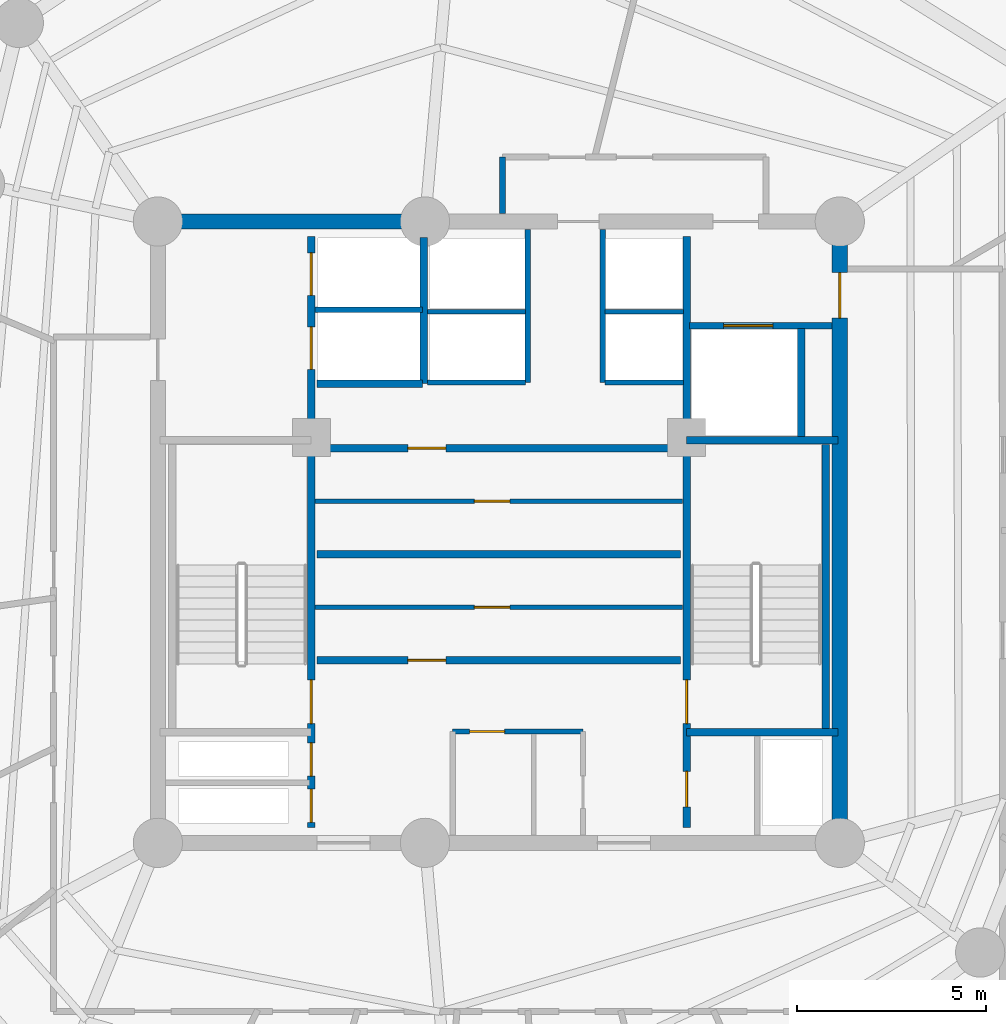
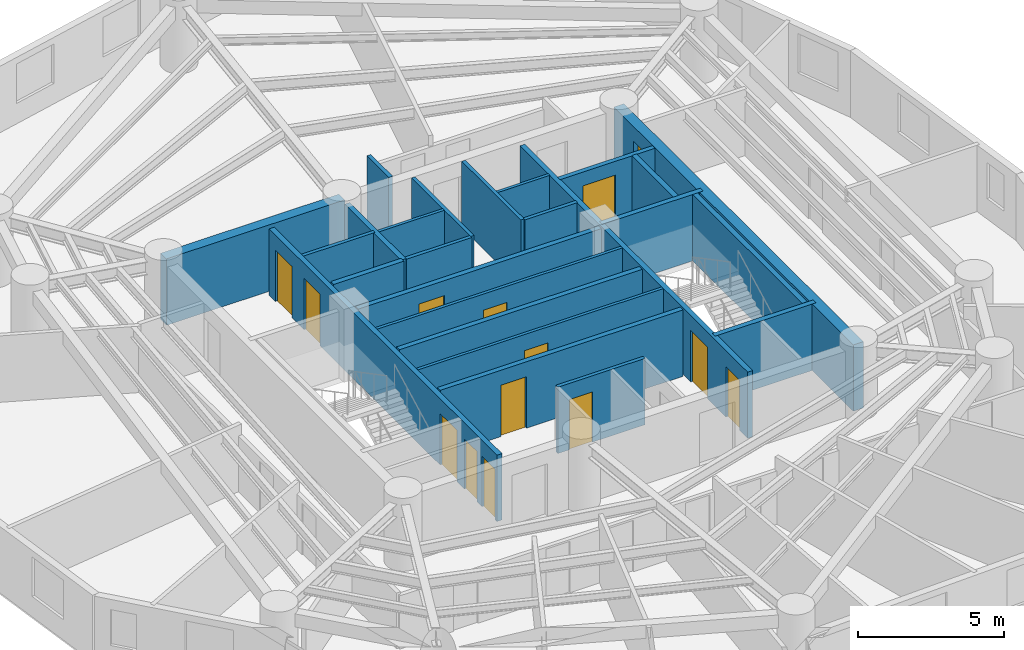
# One storey, part 4 of 7: 25 walls, 14 doors, 14 openings.
"""IFC4 building model written with IfcOpenShell, lengths in metres."""

from ifc_helpers import new_model, si_unit, direction, frame, frame_2d, origin, origin_with_axes, place, context, subcontext, project, spatial, rectangle, extrude, source, transform, mapped, material, layer, layer_set, type_object, element, fill, save


model = new_model("IFC4")

# Units and contexts
model_context = context("Model", 3, precision=1e-05, world=origin(), true_north=direction((0.0, 1.0)))
body_context = subcontext(model_context, "Body", "Model", "MODEL_VIEW")
ifc_project = project(units=[si_unit("LENGTHUNIT", "METRE"), si_unit("AREAUNIT", "SQUARE_METRE"), si_unit("VOLUMEUNIT", "CUBIC_METRE"), si_unit("PLANEANGLEUNIT", "RADIAN"), si_unit("MASSUNIT", "GRAM", prefix="KILO")], contexts=[model_context])

# Site, building, storey
site_placement = place(None, origin())
site = spatial("IfcSite", under=ifc_project, at=site_placement, CompositionType="ELEMENT")
building_placement = place(site_placement, origin())
building = spatial("IfcBuilding", under=site, at=building_placement, Name="Karkom Vertical University and Central Library", CompositionType="ELEMENT")
storey_placement = place(building_placement, frame((0.0, 0.0, 205.35009765625)))
storey = spatial("IfcBuildingStorey", under=building, at=storey_placement, Name="L60", CompositionType="ELEMENT", Elevation=205.35009765625)

# Wall
ifc_material_1 = material(Name="Insulated metal-stud drywall 160mm", Category="gypsum")
ifc_layer_1 = layer(ifc_material_1, 0.159912109375)
ifc_layer_set_1 = layer_set([ifc_layer_1], Name="Insulated metal-stud drywall 160mm")
wall_type_1 = type_object("IfcWallType", Name="INT-WL-COR-160", PredefinedType="PARTITIONING", material=ifc_layer_set_1)
wall_1_placement = place(storey_placement, frame((28.60009765625, 34.906982421875, 0.0), z_axis=(0.0, 0.0, 1.0), x_axis=(0.0, 1.0, 0.0)))
element("IfcWall", 1, at=wall_1_placement, inside=storey, type_object=wall_type_1, Name="Level 60 Interior Partition Wall L60-CORW-CW-006", PredefinedType="PARTITIONING", context=body_context, shape_type="SweptSolid", body=[
    extrude(rectangle(XDim=1.492919921875, YDim=0.159912109375, at=frame_2d((0.74658203125, 0.0))), origin(), (0.0, 0.0, 1.0), 2.77490234375),
])

# Wall, opening, door
ifc_material_2 = material(Name="Moisture-resistant drywall 120mm", Category="gypsum")
ifc_layer_2 = layer(ifc_material_2, 0.1201171875)
ifc_layer_set_2 = layer_set([ifc_layer_2], Name="Moisture-resistant drywall 120mm")
wall_type_2 = type_object("IfcWallType", Name="INT-WL-INT-120F", PredefinedType="PARTITIONING", material=ifc_layer_set_2)
wall_2_placement = place(storey_placement, frame((23.652099609375, 24.52001953125, 0.0), z_axis=(0.0, 0.0, 1.0), x_axis=(1.0, 0.0, 0.0)))
wall_2 = element("IfcWall", 2, at=wall_2_placement, inside=storey, type_object=wall_type_2, Name="Level 60 Interior Partition Wall L60-CW-B1-K3H", PredefinedType="PARTITIONING", context=body_context, shape_type="SweptSolid", body=[
    extrude(rectangle(XDim=9.697509765625, YDim=0.1201171875, at=frame_2d((4.8486328125, 0.0))), origin(), (0.0, 0.0, 1.0), 2.77490234375),
])
opening_1_placement = place(wall_2_placement, frame((4.199951171875, 0.0, 0.0)))
opening_1 = element("IfcOpeningElement", 3, at=opening_1_placement, cuts=wall_2, Name="Opening D-WC1", PredefinedType="OPENING", context=body_context, shape_type="SweptSolid", body=[
    extrude(rectangle(XDim=0.93994140625, YDim=2.10009765625, at=frame_2d((0.469970703125, 1.050048828125))), frame((0.0, 0.070068359375, 0.0), z_axis=(0.0, -1.0, 0.0), x_axis=(1.0, 0.0, 0.0)), (0.0, 0.0, 1.0), 0.14013671875),
])
ifc_material_3 = material(Name="Fire-rated laminate moisture-resistant door", Category="wood")
door_type_1 = type_object("IfcDoorType", Name="INT-DR-WC1", OperationType="NOTDEFINED", PredefinedType="DOOR", material=ifc_material_3)
shared_shape_1 = source(origin_with_axes(), body_context, "Body", "SweptSolid", [
    extrude(rectangle(XDim=0.93994140625, YDim=2.10009765625, at=frame_2d((0.469970703125, 1.050048828125))), frame((0.0, 0.02490234375, 0.0), z_axis=(0.0, -1.0, 0.0), x_axis=(1.0, 0.0, 0.0)), (0.0, 0.0, 1.0), 0.050048828125),
])
door_1_placement = place(opening_1_placement, origin())
door_1 = element("IfcDoor", 4, at=door_1_placement, inside=storey, type_object=door_type_1, Name="Level 60 B1 Core WC Strip Door", OperationType="SINGLE_SWING_LEFT", OverallHeight=2.10009765625, OverallWidth=0.93994140625, PredefinedType="DOOR", context=body_context, shape_type="MappedRepresentation", body=[
    mapped(shared_shape_1, transform((0.0, 0.0, 0.0), scale=1.0)),
])
fill(opening_1, door_1)

wall_3_placement = place(storey_placement, frame((23.652099609375, 27.320068359375, 0.0), z_axis=(0.0, 0.0, 1.0), x_axis=(1.0, 0.0, 0.0)))
wall_3 = element("IfcWall", 5, at=wall_3_placement, inside=storey, type_object=wall_type_2, Name="Level 60 Interior Partition Wall L60-CW-B2-K3H", PredefinedType="PARTITIONING", context=body_context, shape_type="SweptSolid", body=[
    extrude(rectangle(XDim=9.697509765625, YDim=0.1201171875, at=frame_2d((4.8486328125, 0.0))), origin(), (0.0, 0.0, 1.0), 2.77490234375),
])
opening_2_placement = place(wall_3_placement, frame((4.199951171875, 0.0, 0.0)))
opening_2 = element("IfcOpeningElement", 6, at=opening_2_placement, cuts=wall_3, Name="Opening D-WC1", PredefinedType="OPENING", context=body_context, shape_type="SweptSolid", body=[
    extrude(rectangle(XDim=0.93994140625, YDim=2.10009765625, at=frame_2d((0.469970703125, 1.050048828125))), frame((0.0, 0.070068359375, 0.0), z_axis=(0.0, -1.0, 0.0), x_axis=(1.0, 0.0, 0.0)), (0.0, 0.0, 1.0), 0.14013671875),
])
door_2_placement = place(opening_2_placement, origin())
door_2 = element("IfcDoor", 7, at=door_2_placement, inside=storey, type_object=door_type_1, Name="Level 60 B2 Core WC Strip Door", OperationType="SINGLE_SWING_LEFT", OverallHeight=2.10009765625, OverallWidth=0.93994140625, PredefinedType="DOOR", context=body_context, shape_type="MappedRepresentation", body=[
    mapped(shared_shape_1, transform((0.0, 0.0, 0.0), scale=1.0)),
])
fill(opening_2, door_2)

# Walls
ifc_layer_3 = layer(ifc_material_2, 0.1201171875)
ifc_layer_set_3 = layer_set([ifc_layer_3], Name="Moisture-resistant drywall 120mm")
wall_type_3 = type_object("IfcWallType", Name="INT-WL-INT-120H", PredefinedType="PARTITIONING", material=ifc_layer_set_3)
wall_4_placement = place(storey_placement, frame((26.6201171875, 32.320068359375, 0.0), z_axis=(0.0, 0.0, 1.0), x_axis=(1.0, 0.0, 0.0)))
element("IfcWall", 8, at=wall_4_placement, inside=storey, type_object=wall_type_3, Name="Level 60 Interior Partition Wall L60-CW-PH-MW", PredefinedType="PARTITIONING", context=body_context, shape_type="SweptSolid", body=[
    extrude(rectangle(XDim=2.579833984375, YDim=0.1201171875, at=frame_2d((1.2900390625, 0.0))), origin(), (0.0, 0.0, 1.0), 2.77490234375),
])
wall_5_placement = place(storey_placement, frame((31.300048828125, 32.320068359375, 0.0), z_axis=(0.0, 0.0, 1.0), x_axis=(1.0, 0.0, 0.0)))
element("IfcWall", 9, at=wall_5_placement, inside=storey, type_object=wall_type_3, Name="Level 60 Interior Partition Wall L60-CW-PH-ME", PredefinedType="PARTITIONING", context=body_context, shape_type="SweptSolid", body=[
    extrude(rectangle(XDim=2.074951171875, YDim=0.1201171875, at=frame_2d((1.03759765625, 0.0))), origin(), (0.0, 0.0, 1.0), 2.77490234375),
])

# Wall, opening, door
ifc_material_4 = material(Name="Metal-stud gypsum partition 140mm", Category="gypsum")
ifc_layer_4 = layer(ifc_material_4, 0.139892578125)
ifc_layer_set_4 = layer_set([ifc_layer_4], Name="Metal-stud gypsum partition 140mm")
wall_type_4 = type_object("IfcWallType", Name="INT-WL-SUB-140", PredefinedType="PARTITIONING", material=ifc_layer_set_4)
wall_6_placement = place(storey_placement, frame((27.280029296875, 21.239990234375, 0.0), z_axis=(0.0, 0.0, 1.0), x_axis=(1.0, 0.0, 0.0)))
wall_6 = element("IfcWall", 10, at=wall_6_placement, inside=storey, type_object=wall_type_4, Name="Level 60 Interior Partition Wall L60-CW-KBAY-N", PredefinedType="PARTITIONING", context=body_context, shape_type="SweptSolid", body=[
    extrude(rectangle(XDim=3.43994140625, YDim=0.139892578125, at=frame_2d((1.719970703125, 0.0))), origin(), (0.0, 0.0, 1.0), 2.77490234375),
])
opening_3_placement = place(wall_6_placement, frame((0.449951171875, 0.0, 0.0)))
opening_3 = element("IfcOpeningElement", 11, at=opening_3_placement, cuts=wall_6, Name="Opening D-SVC1", PredefinedType="OPENING", context=body_context, shape_type="SweptSolid", body=[
    extrude(rectangle(XDim=0.919921875, YDim=2.10009765625, at=frame_2d((0.4599609375, 1.050048828125))), frame((0.0, 0.080078125, 0.0), z_axis=(0.0, -1.0, 0.0), x_axis=(1.0, 0.0, 0.0)), (0.0, 0.0, 1.0), 0.159912109375),
])
ifc_material_5 = material(Name="Painted timber service door", Category="wood")
door_type_2 = type_object("IfcDoorType", Name="INT-DR-SVC1", OperationType="NOTDEFINED", PredefinedType="DOOR", material=ifc_material_5)
shared_shape_2 = source(origin_with_axes(), body_context, "Body", "SweptSolid", [
    extrude(rectangle(XDim=0.919921875, YDim=2.10009765625, at=frame_2d((0.4599609375, 1.050048828125))), frame((0.0, 0.02490234375, 0.0), z_axis=(0.0, -1.0, 0.0), x_axis=(1.0, 0.0, 0.0)), (0.0, 0.0, 1.0), 0.050048828125),
])
door_3_placement = place(opening_3_placement, origin())
door_3 = element("IfcDoor", 12, at=door_3_placement, inside=storey, type_object=door_type_2, Name="Level 60 Copy Room Door", OperationType="SINGLE_SWING_RIGHT", OverallHeight=2.10009765625, OverallWidth=0.919921875, PredefinedType="DOOR", context=body_context, shape_type="MappedRepresentation", body=[
    mapped(shared_shape_2, transform((0.0, 0.0, 0.0), scale=1.0)),
])
fill(opening_3, door_3)

# Walls
ifc_layer_5 = layer(ifc_material_4, 0.139892578125)
ifc_layer_set_5 = layer_set([ifc_layer_5], Name="Metal-stud gypsum partition 140mm")
wall_type_5 = type_object("IfcWallType", Name="INT-WL-SUB-140H", PredefinedType="PARTITIONING", material=ifc_layer_set_5)
for number, where, z_axis, x_axis, name in (
    (13, (29.260009765625, 30.449951171875, 0.0), (0.0, 0.0, 1.0), (0.0, 1.0, 0.0), "Level 60 Interior Partition Wall L60-CW-PH-W"),
    (14, (31.239990234375, 30.449951171875, 0.0), (0.0, 0.0, 1.0), (0.0, 1.0, 0.0), "Level 60 Interior Partition Wall L60-CW-PH-E"),
):
    element("IfcWall", number, at=place(storey_placement, frame(where, z_axis=z_axis, x_axis=x_axis)), inside=storey, type_object=wall_type_5, Name=name, PredefinedType="PARTITIONING", context=body_context, shape_type="SweptSolid", body=[
        extrude(rectangle(XDim=4.04296875, YDim=0.139892578125, at=frame_2d((2.021484375, 0.0))), origin(), (0.0, 0.0, 1.0), 2.77490234375),
    ])
wall_7_placement = place(storey_placement, frame((26.6201171875, 30.449951171875, 0.0), z_axis=(0.0, 0.0, 1.0), x_axis=(1.0, 0.0, 0.0)))
element("IfcWall", 15, at=wall_7_placement, inside=storey, type_object=wall_type_5, Name="Level 60 Interior Partition Wall L60-CW-PH-S1", PredefinedType="PARTITIONING", context=body_context, shape_type="SweptSolid", body=[
    extrude(rectangle(XDim=2.579833984375, YDim=0.139892578125, at=frame_2d((1.2900390625, 0.0))), origin(), (0.0, 0.0, 1.0), 2.77490234375),
])
wall_8_placement = place(storey_placement, frame((31.300048828125, 30.449951171875, 0.0), z_axis=(0.0, 0.0, 1.0), x_axis=(1.0, 0.0, 0.0)))
element("IfcWall", 16, at=wall_8_placement, inside=storey, type_object=wall_type_5, Name="Level 60 Interior Partition Wall L60-CW-PH-S2", PredefinedType="PARTITIONING", context=body_context, shape_type="SweptSolid", body=[
    extrude(rectangle(XDim=2.074951171875, YDim=0.139892578125, at=frame_2d((1.03759765625, 0.0))), origin(), (0.0, 0.0, 1.0), 2.77490234375),
])
ifc_layer_6 = layer(ifc_material_4, 0.139892578125)
ifc_layer_set_6 = layer_set([ifc_layer_6], Name="Metal-stud gypsum partition 140mm")
wall_type_6 = type_object("IfcWallType", Name="INT-WL-SUB-140X", PredefinedType="PARTITIONING", material=ifc_layer_set_6)
wall_9_placement = place(storey_placement, frame((23.652099609375, 32.3701171875, 0.0), z_axis=(0.0, 0.0, 1.0), x_axis=(1.0, 0.0, 0.0)))
element("IfcWall", 17, at=wall_9_placement, inside=storey, type_object=wall_type_6, Name="Level 60 Interior Partition Wall L60-CW-FFL-M", PredefinedType="PARTITIONING", context=body_context, shape_type="SweptSolid", body=[
    extrude(rectangle(XDim=2.827880859375, YDim=0.139892578125, at=frame_2d((1.4140625, 0.0))), origin(), (0.0, 0.0, 1.0), 2.77490234375),
])

# Wall, opening, door
ifc_material_6 = material(Name="Twin-stud acoustic drywall 180mm", Category="gypsum")
ifc_layer_7 = layer(ifc_material_6, 0.179931640625)
ifc_layer_set_7 = layer_set([ifc_layer_7], Name="Twin-stud acoustic drywall 180mm")
wall_type_7 = type_object("IfcWallType", Name="INT-WL-TEN-180F", PredefinedType="PARTITIONING", material=ifc_layer_set_7)
wall_10_placement = place(storey_placement, frame((33.534912109375, 31.949951171875, 0.0), z_axis=(0.0, 0.0, 1.0), x_axis=(1.0, 0.0, 0.0)))
wall_10 = element("IfcWall", 18, at=wall_10_placement, inside=storey, type_object=wall_type_7, Name="Level 60 Interior Partition Wall L60-CW-SVL-N", PredefinedType="PARTITIONING", context=body_context, shape_type="SweptSolid", body=[
    extrude(rectangle(XDim=3.7587890625, YDim=0.179931640625, at=frame_2d((1.87939453125, 0.0))), origin(), (0.0, 0.0, 1.0), 2.77490234375),
])
opening_4_placement = place(wall_10_placement, frame((0.89990234375, 0.0, 0.0)))
opening_4 = element("IfcOpeningElement", 19, at=opening_4_placement, cuts=wall_10, Name="Opening LD-SV1", PredefinedType="OPENING", context=body_context, shape_type="SweptSolid", body=[
    extrude(rectangle(XDim=1.300048828125, YDim=2.199951171875, at=frame_2d((0.64990234375, 1.10009765625))), frame((0.0, 0.10009765625, 0.0), z_axis=(0.0, -1.0, 0.0), x_axis=(1.0, 0.0, 0.0)), (0.0, 0.0, 1.0), 0.199951171875),
])
ifc_material_7 = material(Name="Brushed stainless-steel landing door", Category="steel")
door_type_3 = type_object("IfcDoorType", Name="INT-DR-LD-SV1", OperationType="SLIDING_TO_LEFT", PredefinedType="DOOR", material=ifc_material_7)
shared_shape_3 = source(origin_with_axes(), body_context, "Body", "SweptSolid", [
    extrude(rectangle(XDim=1.300048828125, YDim=2.199951171875, at=frame_2d((0.64990234375, 1.10009765625))), frame((0.0, 0.02490234375, 0.0), z_axis=(0.0, -1.0, 0.0), x_axis=(1.0, 0.0, 0.0)), (0.0, 0.0, 1.0), 0.050048828125),
])
door_4_placement = place(opening_4_placement, origin())
door_4 = element("IfcDoor", 20, at=door_4_placement, inside=storey, type_object=door_type_3, Name="Level 60 Service Lift Landing Door LD-SV1", OperationType="SLIDING_TO_LEFT", OverallHeight=2.199951171875, OverallWidth=1.300048828125, PredefinedType="DOOR", context=body_context, shape_type="MappedRepresentation", body=[
    mapped(shared_shape_3, transform((0.0, 0.0, 0.0), scale=1.0)),
])
fill(opening_4, door_4)

ifc_material_8 = material(Name="Concrete C50/60", Category="concrete")
ifc_layer_8 = layer(ifc_material_8, 0.39990234375)
ifc_layer_set_8 = layer_set([ifc_layer_8], Name="Concrete C50/60")
wall_type_8 = type_object("IfcWallType", Name="STR-WL-CW-400", PredefinedType="SHEAR", material=ifc_layer_set_8)
wall_11_placement = place(storey_placement, frame((37.5, 18.300048828125, 0.0), z_axis=(0.0, 0.0, 1.0), x_axis=(0.0, 1.0, 0.0)))
wall_11 = element("IfcWall", 21, at=wall_11_placement, inside=storey, type_object=wall_type_8, Name="Level 60 Central Core Shear Wall EW", PredefinedType="SHEAR", context=body_context, shape_type="SweptSolid", body=[
    extrude(rectangle(XDim=16.39990234375, YDim=0.39990234375, at=frame_2d((8.199951171875, 0.0))), origin(), (0.0, 0.0, 1.0), 2.77490234375),
])
opening_5_placement = place(wall_11_placement, frame((13.85009765625, 0.0, 0.0)))
opening_5 = element("IfcOpeningElement", 22, at=opening_5_placement, cuts=wall_11, Name="Opening FD-SUB1", PredefinedType="OPENING", context=body_context, shape_type="SweptSolid", body=[
    extrude(rectangle(XDim=1.199951171875, YDim=2.14990234375, at=frame_2d((0.60009765625, 1.074951171875))), frame((0.0, 0.2099609375, 0.0), z_axis=(0.0, -1.0, 0.0), x_axis=(1.0, 0.0, 0.0)), (0.0, 0.0, 1.0), 0.419921875),
])
ifc_material_9 = material(Name="Painted steel fire door", Category="steel")
door_type_4 = type_object("IfcDoorType", Name="INT-DR-SUB1", OperationType="NOTDEFINED", PredefinedType="DOOR", material=ifc_material_9)
shared_shape_4 = source(origin_with_axes(), body_context, "Body", "SweptSolid", [
    extrude(rectangle(XDim=1.199951171875, YDim=2.14990234375, at=frame_2d((0.60009765625, 1.074951171875))), frame((0.0, 0.02490234375, 0.0), z_axis=(0.0, -1.0, 0.0), x_axis=(1.0, 0.0, 0.0)), (0.0, 0.0, 1.0), 0.050048828125),
])
door_5_placement = place(opening_5_placement, origin())
door_5 = element("IfcDoor", 23, at=door_5_placement, inside=storey, type_object=door_type_4, Name="Level 60 East Corridor Service Lobby Door", OperationType="SINGLE_SWING_LEFT", OverallHeight=2.14990234375, OverallWidth=1.199951171875, PredefinedType="DOOR", context=body_context, shape_type="MappedRepresentation", body=[
    mapped(shared_shape_4, transform((0.0, 0.0, 0.0), scale=1.0)),
])
fill(opening_5, door_5)

# Wall
wall_12_placement = place(storey_placement, frame((26.550048828125, 34.699951171875, 0.0), z_axis=(0.0, 0.0, 1.0), x_axis=(-1.0, 0.0, 0.0)))
element("IfcWall", 24, at=wall_12_placement, inside=storey, type_object=wall_type_8, Name="Level 60 Central Core Shear Wall NW2", PredefinedType="SHEAR", context=body_context, shape_type="SweptSolid", body=[
    extrude(rectangle(XDim=7.050048828125, YDim=0.39990234375, at=frame_2d((3.52490234375, 0.0))), origin(), (0.0, 0.0, 1.0), 2.77490234375),
])

# Wall, openings, doors
ifc_material_10 = material(Name="Concrete C45/55", Category="concrete")
ifc_layer_9 = layer(ifc_material_10, 0.199951171875)
ifc_layer_set_9 = layer_set([ifc_layer_9], Name="Concrete C45/55")
wall_type_9 = type_object("IfcWallType", Name="STR-WL-ST-200", PredefinedType="SHEAR", material=ifc_layer_set_9)
wall_13_placement = place(storey_placement, frame((23.544921875, 18.699951171875, 0.0), z_axis=(0.0, 0.0, 1.0), x_axis=(0.0, 1.0, 0.0)))
wall_13 = element("IfcWall", 25, at=wall_13_placement, inside=storey, type_object=wall_type_9, Name="Level 60 Core Shaft Wall L60-CW-ST1-E", PredefinedType="SHEAR", context=body_context, shape_type="SweptSolid", body=[
    extrude(rectangle(XDim=15.60009765625, YDim=0.199951171875, at=frame_2d((7.800048828125, 0.0))), origin(), (0.0, 0.0, 1.0), 2.77490234375),
])
opening_6_placement = place(wall_13_placement, frame((2.75, 0.0, 0.0)))
opening_6 = element("IfcOpeningElement", 26, at=opening_6_placement, cuts=wall_13, Name="Opening FD-ST1", PredefinedType="OPENING", context=body_context, shape_type="SweptSolid", body=[
    extrude(rectangle(XDim=1.14990234375, YDim=2.14990234375, at=frame_2d((0.574951171875, 1.074951171875))), frame((0.0, 0.10986328125, 0.0), z_axis=(0.0, -1.0, 0.0), x_axis=(1.0, 0.0, 0.0)), (0.0, 0.0, 1.0), 0.219970703125),
])
opening_7_placement = place(wall_13_placement, frame((0.139892578125, 0.0, 0.0)))
opening_7 = element("IfcOpeningElement", 27, at=opening_7_placement, cuts=wall_13, Name="Opening FD-RIS", PredefinedType="OPENING", context=body_context, shape_type="SweptSolid", body=[
    extrude(rectangle(XDim=0.8798828125, YDim=2.10009765625, at=frame_2d((0.43994140625, 1.050048828125))), frame((0.0, 0.10986328125, 0.0), z_axis=(0.0, -1.0, 0.0), x_axis=(1.0, 0.0, 0.0)), (0.0, 0.0, 1.0), 0.219970703125),
])
opening_8_placement = place(wall_13_placement, frame((1.360107421875, 0.0, 0.0)))
opening_8 = element("IfcOpeningElement", 28, at=opening_8_placement, cuts=wall_13, Name="Opening FD-RIS", PredefinedType="OPENING", context=body_context, shape_type="SweptSolid", body=[
    extrude(rectangle(XDim=0.8798828125, YDim=2.10009765625, at=frame_2d((0.43994140625, 1.050048828125))), frame((0.0, 0.10986328125, 0.0), z_axis=(0.0, -1.0, 0.0), x_axis=(1.0, 0.0, 0.0)), (0.0, 0.0, 1.0), 0.219970703125),
])
opening_9_placement = place(wall_13_placement, frame((12.10009765625, 0.0, 0.0)))
opening_9 = element("IfcOpeningElement", 29, at=opening_9_placement, cuts=wall_13, Name="Opening LD-FFL", PredefinedType="OPENING", context=body_context, shape_type="SweptSolid", body=[
    extrude(rectangle(XDim=1.1201171875, YDim=2.14990234375, at=frame_2d((0.56005859375, 1.074951171875))), frame((0.0, 0.10986328125, 0.0), z_axis=(0.0, -1.0, 0.0), x_axis=(1.0, 0.0, 0.0)), (0.0, 0.0, 1.0), 0.219970703125),
])
opening_10_placement = place(wall_13_placement, frame((14.050048828125, 0.0, 0.0)))
opening_10 = element("IfcOpeningElement", 30, at=opening_10_placement, cuts=wall_13, Name="Opening LD-FFL", PredefinedType="OPENING", context=body_context, shape_type="SweptSolid", body=[
    extrude(rectangle(XDim=1.1201171875, YDim=2.14990234375, at=frame_2d((0.56005859375, 1.074951171875))), frame((0.0, 0.10986328125, 0.0), z_axis=(0.0, -1.0, 0.0), x_axis=(1.0, 0.0, 0.0)), (0.0, 0.0, 1.0), 0.219970703125),
])
ifc_material_11 = material(Name="Painted steel acoustic fire door", Category="steel")
door_type_5 = type_object("IfcDoorType", Name="INT-DR-ST1", OperationType="NOTDEFINED", PredefinedType="DOOR", material=ifc_material_11)
shared_shape_5 = source(origin_with_axes(), body_context, "Body", "SweptSolid", [
    extrude(rectangle(XDim=1.14990234375, YDim=2.14990234375, at=frame_2d((0.574951171875, 1.074951171875))), frame((0.0, 0.02490234375, 0.0), z_axis=(0.0, -1.0, 0.0), x_axis=(1.0, 0.0, 0.0)), (0.0, 0.0, 1.0), 0.050048828125),
])
door_6_placement = place(opening_6_placement, origin())
door_6 = element("IfcDoor", 31, at=door_6_placement, inside=storey, type_object=door_type_5, Name="Level 60 Stair ST-1 Fire Door", OperationType="SINGLE_SWING_RIGHT", OverallHeight=2.14990234375, OverallWidth=1.14990234375, PredefinedType="DOOR", context=body_context, shape_type="MappedRepresentation", body=[
    mapped(shared_shape_5, transform((0.0, 0.0, 0.0), scale=1.0)),
])
fill(opening_6, door_6)
ifc_material_12 = material(Name="Painted steel riser access door", Category="steel")
door_type_6 = type_object("IfcDoorType", Name="INT-DR-RIS", OperationType="NOTDEFINED", PredefinedType="DOOR", material=ifc_material_12)
shared_shape_6 = source(origin_with_axes(), body_context, "Body", "SweptSolid", [
    extrude(rectangle(XDim=0.8798828125, YDim=2.10009765625, at=frame_2d((0.43994140625, 1.050048828125))), frame((0.0, 0.02490234375, 0.0), z_axis=(0.0, -1.0, 0.0), x_axis=(1.0, 0.0, 0.0)), (0.0, 0.0, 1.0), 0.050048828125),
])
door_7_placement = place(opening_7_placement, origin())
door_7 = element("IfcDoor", 32, at=door_7_placement, inside=storey, type_object=door_type_6, Name="Level 60 Electrical Riser Access Door", OperationType="SINGLE_SWING_LEFT", OverallHeight=2.10009765625, OverallWidth=0.8798828125, PredefinedType="DOOR", context=body_context, shape_type="MappedRepresentation", body=[
    mapped(shared_shape_6, transform((0.0, 0.0, 0.0), scale=1.0)),
])
fill(opening_7, door_7)
door_8_placement = place(opening_8_placement, origin())
door_8 = element("IfcDoor", 33, at=door_8_placement, inside=storey, type_object=door_type_6, Name="Level 60 Telecom Riser Access Door", OperationType="SINGLE_SWING_RIGHT", OverallHeight=2.10009765625, OverallWidth=0.8798828125, PredefinedType="DOOR", context=body_context, shape_type="MappedRepresentation", body=[
    mapped(shared_shape_6, transform((0.0, 0.0, 0.0), scale=1.0)),
])
fill(opening_8, door_8)
ifc_material_13 = material(Name="Fire-rated stainless-steel landing door", Category="steel")
door_type_7 = type_object("IfcDoorType", Name="INT-DR-LD-FFL", OperationType="SLIDING_TO_LEFT", PredefinedType="DOOR", material=ifc_material_13)
shared_shape_7 = source(origin_with_axes(), body_context, "Body", "SweptSolid", [
    extrude(rectangle(XDim=1.1201171875, YDim=2.14990234375, at=frame_2d((0.56005859375, 1.074951171875))), frame((0.0, 0.02490234375, 0.0), z_axis=(0.0, -1.0, 0.0), x_axis=(1.0, 0.0, 0.0)), (0.0, 0.0, 1.0), 0.050048828125),
])
door_9_placement = place(opening_9_placement, origin())
door_9 = element("IfcDoor", 34, at=door_9_placement, inside=storey, type_object=door_type_7, Name="Level 60 Firefighting Lift FFL-1 Landing Door", OperationType="SLIDING_TO_LEFT", OverallHeight=2.14990234375, OverallWidth=1.1201171875, PredefinedType="DOOR", context=body_context, shape_type="MappedRepresentation", body=[
    mapped(shared_shape_7, transform((0.0, 0.0, 0.0), scale=1.0)),
])
fill(opening_9, door_9)
door_10_placement = place(opening_10_placement, origin())
door_10 = element("IfcDoor", 35, at=door_10_placement, inside=storey, type_object=door_type_7, Name="Level 60 Firefighting Lift FFL-2 Landing Door", OperationType="SLIDING_TO_RIGHT", OverallHeight=2.14990234375, OverallWidth=1.1201171875, PredefinedType="DOOR", context=body_context, shape_type="MappedRepresentation", body=[
    mapped(shared_shape_7, transform((0.0, 0.0, 0.0), scale=1.0)),
])
fill(opening_10, door_10)

wall_14_placement = place(storey_placement, frame((33.455078125, 18.699951171875, 0.0), z_axis=(0.0, 0.0, 1.0), x_axis=(0.0, 1.0, 0.0)))
wall_14 = element("IfcWall", 36, at=wall_14_placement, inside=storey, type_object=wall_type_9, Name="Level 60 Core Shaft Wall L60-CW-ST2-W", PredefinedType="SHEAR", context=body_context, shape_type="SweptSolid", body=[
    extrude(rectangle(XDim=15.60009765625, YDim=0.199951171875, at=frame_2d((7.800048828125, 0.0))), origin(), (0.0, 0.0, 1.0), 2.77490234375),
])
opening_11_placement = place(wall_14_placement, frame((2.75, 0.0, 0.0)))
opening_11 = element("IfcOpeningElement", 37, at=opening_11_placement, cuts=wall_14, Name="Opening FD-ST1", PredefinedType="OPENING", context=body_context, shape_type="SweptSolid", body=[
    extrude(rectangle(XDim=1.14990234375, YDim=2.14990234375, at=frame_2d((0.574951171875, 1.074951171875))), frame((0.0, 0.10986328125, 0.0), z_axis=(0.0, -1.0, 0.0), x_axis=(1.0, 0.0, 0.0)), (0.0, 0.0, 1.0), 0.219970703125),
])
opening_12_placement = place(wall_14_placement, frame((0.550048828125, 0.0, 0.0)))
opening_12 = element("IfcOpeningElement", 38, at=opening_12_placement, cuts=wall_14, Name="Opening D-WC1", PredefinedType="OPENING", context=body_context, shape_type="SweptSolid", body=[
    extrude(rectangle(XDim=0.93994140625, YDim=2.10009765625, at=frame_2d((0.469970703125, 1.050048828125))), frame((0.0, 0.10986328125, 0.0), z_axis=(0.0, -1.0, 0.0), x_axis=(1.0, 0.0, 0.0)), (0.0, 0.0, 1.0), 0.219970703125),
])
door_11_placement = place(opening_11_placement, origin())
door_11 = element("IfcDoor", 39, at=door_11_placement, inside=storey, type_object=door_type_5, Name="Level 60 Stair ST-2 Fire Door", OperationType="SINGLE_SWING_LEFT", OverallHeight=2.14990234375, OverallWidth=1.14990234375, PredefinedType="DOOR", context=body_context, shape_type="MappedRepresentation", body=[
    mapped(shared_shape_5, transform((0.0, 0.0, 0.0), scale=1.0)),
])
fill(opening_11, door_11)
door_12_placement = place(opening_12_placement, origin())
door_12 = element("IfcDoor", 40, at=door_12_placement, inside=storey, type_object=door_type_1, Name="Level 60 Accessible WC Door", OperationType="SINGLE_SWING_LEFT", OverallHeight=2.10009765625, OverallWidth=0.93994140625, PredefinedType="DOOR", context=body_context, shape_type="MappedRepresentation", body=[
    mapped(shared_shape_1, transform((0.0, 0.0, 0.0), scale=1.0)),
])
fill(opening_12, door_12)

# Wall, opening, door
wall_15_placement = place(storey_placement, frame((23.699951171875, 23.1201171875, 0.0), z_axis=(0.0, 0.0, 1.0), x_axis=(1.0, 0.0, 0.0)))
wall_15 = element("IfcWall", 41, at=wall_15_placement, inside=storey, type_object=wall_type_9, Name="Level 60 Core Shaft Wall L60-CW-B1-S", PredefinedType="SHEAR", context=body_context, shape_type="SweptSolid", body=[
    extrude(rectangle(XDim=9.60009765625, YDim=0.199951171875, at=frame_2d((4.800048828125, 0.0))), origin(), (0.0, 0.0, 1.0), 2.77490234375),
])
opening_13_placement = place(wall_15_placement, frame((2.39990234375, 0.0, 0.0)))
opening_13 = element("IfcOpeningElement", 42, at=opening_13_placement, cuts=wall_15, Name="Opening D-STR1", PredefinedType="OPENING", context=body_context, shape_type="SweptSolid", body=[
    extrude(rectangle(XDim=1.0, YDim=2.14990234375, at=frame_2d((0.5, 1.074951171875))), frame((0.0, 0.10986328125, 0.0), z_axis=(0.0, -1.0, 0.0), x_axis=(1.0, 0.0, 0.0)), (0.0, 0.0, 1.0), 0.219970703125),
])
ifc_material_14 = material(Name="Solid-core hardwood fire door", Category="wood")
door_type_8 = type_object("IfcDoorType", Name="INT-DR-STR1", OperationType="NOTDEFINED", PredefinedType="DOOR", material=ifc_material_14)
shared_shape_8 = source(origin_with_axes(), body_context, "Body", "SweptSolid", [
    extrude(rectangle(XDim=1.0, YDim=2.14990234375, at=frame_2d((0.5, 1.074951171875))), frame((0.0, 0.02490234375, 0.0), z_axis=(0.0, -1.0, 0.0), x_axis=(1.0, 0.0, 0.0)), (0.0, 0.0, 1.0), 0.050048828125),
])
door_13_placement = place(opening_13_placement, origin())
door_13 = element("IfcDoor", 43, at=door_13_placement, inside=storey, type_object=door_type_8, Name="Level 60 B1 Archive Strip Door", OperationType="SINGLE_SWING_RIGHT", OverallHeight=2.14990234375, OverallWidth=1.0, PredefinedType="DOOR", context=body_context, shape_type="MappedRepresentation", body=[
    mapped(shared_shape_8, transform((0.0, 0.0, 0.0), scale=1.0)),
])
fill(opening_13, door_13)

# Wall
wall_16_placement = place(storey_placement, frame((23.699951171875, 25.919921875, 0.0), z_axis=(0.0, 0.0, 1.0), x_axis=(1.0, 0.0, 0.0)))
element("IfcWall", 44, at=wall_16_placement, inside=storey, type_object=wall_type_9, Name="Level 60 Core Shaft Wall L60-CW-B1-N", PredefinedType="SHEAR", context=body_context, shape_type="SweptSolid", body=[
    extrude(rectangle(XDim=9.60009765625, YDim=0.199951171875, at=frame_2d((4.800048828125, 0.0))), origin(), (0.0, 0.0, 1.0), 2.77490234375),
])

# Wall, opening, door
wall_17_placement = place(storey_placement, frame((23.699951171875, 28.719970703125, 0.0), z_axis=(0.0, 0.0, 1.0), x_axis=(1.0, 0.0, 0.0)))
wall_17 = element("IfcWall", 45, at=wall_17_placement, inside=storey, type_object=wall_type_9, Name="Level 60 Core Shaft Wall L60-CW-B2-N", PredefinedType="SHEAR", context=body_context, shape_type="SweptSolid", body=[
    extrude(rectangle(XDim=9.60009765625, YDim=0.199951171875, at=frame_2d((4.800048828125, 0.0))), origin(), (0.0, 0.0, 1.0), 2.77490234375),
])
opening_14_placement = place(wall_17_placement, frame((2.39990234375, 0.0, 0.0)))
opening_14 = element("IfcOpeningElement", 46, at=opening_14_placement, cuts=wall_17, Name="Opening D-STR1", PredefinedType="OPENING", context=body_context, shape_type="SweptSolid", body=[
    extrude(rectangle(XDim=1.0, YDim=2.14990234375, at=frame_2d((0.5, 1.074951171875))), frame((0.0, 0.10986328125, 0.0), z_axis=(0.0, -1.0, 0.0), x_axis=(1.0, 0.0, 0.0)), (0.0, 0.0, 1.0), 0.219970703125),
])
door_14_placement = place(opening_14_placement, origin())
door_14 = element("IfcDoor", 47, at=door_14_placement, inside=storey, type_object=door_type_8, Name="Level 60 B2 Archive Strip Door", OperationType="SINGLE_SWING_RIGHT", OverallHeight=2.14990234375, OverallWidth=1.0, PredefinedType="DOOR", context=body_context, shape_type="MappedRepresentation", body=[
    mapped(shared_shape_8, transform((0.0, 0.0, 0.0), scale=1.0)),
])
fill(opening_14, door_14)

# Walls
wall_18_placement = place(storey_placement, frame((37.125, 21.320068359375, 0.0), z_axis=(0.0, 0.0, 1.0), x_axis=(0.0, 1.0, 0.0)))
element("IfcWall", 48, at=wall_18_placement, inside=storey, type_object=wall_type_9, Name="Level 60 Core Shaft Wall L60-CW-ST2-E", PredefinedType="SHEAR", context=body_context, shape_type="SweptSolid", body=[
    extrude(rectangle(XDim=7.5, YDim=0.199951171875, at=frame_2d((3.75, 0.0))), origin(), (0.0, 0.0, 1.0), 2.77490234375),
])
for number, where, z_axis, x_axis, name in (
    (49, (33.455078125, 21.215087890625, 0.0), (0.0, 0.0, 1.0), (1.0, 0.0, 0.0), "Level 60 Core Shaft Wall L60-CW-ST2-S"),
    (50, (33.455078125, 28.925048828125, 0.0), (0.0, 0.0, 1.0), (1.0, 0.0, 0.0), "Level 60 Core Shaft Wall L60-CW-ST2-N"),
):
    element("IfcWall", number, at=place(storey_placement, frame(where, z_axis=z_axis, x_axis=x_axis)), inside=storey, type_object=wall_type_9, Name=name, PredefinedType="SHEAR", context=body_context, shape_type="SweptSolid", body=[
        extrude(rectangle(XDim=3.994873046875, YDim=0.199951171875, at=frame_2d((1.99755859375, 0.0))), origin(), (0.0, 0.0, 1.0), 2.77490234375),
    ])
wall_19_placement = place(storey_placement, frame((26.52001953125, 30.419921875, 0.0), z_axis=(0.0, 0.0, 1.0), x_axis=(0.0, 1.0, 0.0)))
element("IfcWall", 51, at=wall_19_placement, inside=storey, type_object=wall_type_9, Name="Level 60 Core Shaft Wall L60-CW-FFL-E", PredefinedType="SHEAR", context=body_context, shape_type="SweptSolid", body=[
    extrude(rectangle(XDim=3.860107421875, YDim=0.199951171875, at=frame_2d((1.93017578125, 0.0))), origin(), (0.0, 0.0, 1.0), 2.77490234375),
])
wall_20_placement = place(storey_placement, frame((36.47998046875, 29.02001953125, 0.0), z_axis=(0.0, 0.0, 1.0), x_axis=(0.0, 1.0, 0.0)))
element("IfcWall", 52, at=wall_20_placement, inside=storey, type_object=wall_type_9, Name="Level 60 Core Shaft Wall L60-CW-SVL-E", PredefinedType="SHEAR", context=body_context, shape_type="SweptSolid", body=[
    extrude(rectangle(XDim=2.85986328125, YDim=0.199951171875, at=frame_2d((1.429931640625, 0.0))), origin(), (0.0, 0.0, 1.0), 2.77490234375),
])
wall_21_placement = place(storey_placement, frame((23.699951171875, 30.419921875, 0.0), z_axis=(0.0, 0.0, 1.0), x_axis=(1.0, 0.0, 0.0)))
element("IfcWall", 53, at=wall_21_placement, inside=storey, type_object=wall_type_9, Name="Level 60 Core Shaft Wall L60-CW-FFL-S", PredefinedType="SHEAR", context=body_context, shape_type="SweptSolid", body=[
    extrude(rectangle(XDim=2.780029296875, YDim=0.199951171875, at=frame_2d((1.39013671875, 0.0))), origin(), (0.0, 0.0, 1.0), 2.77490234375),
])

save(model, "model.ifc")
